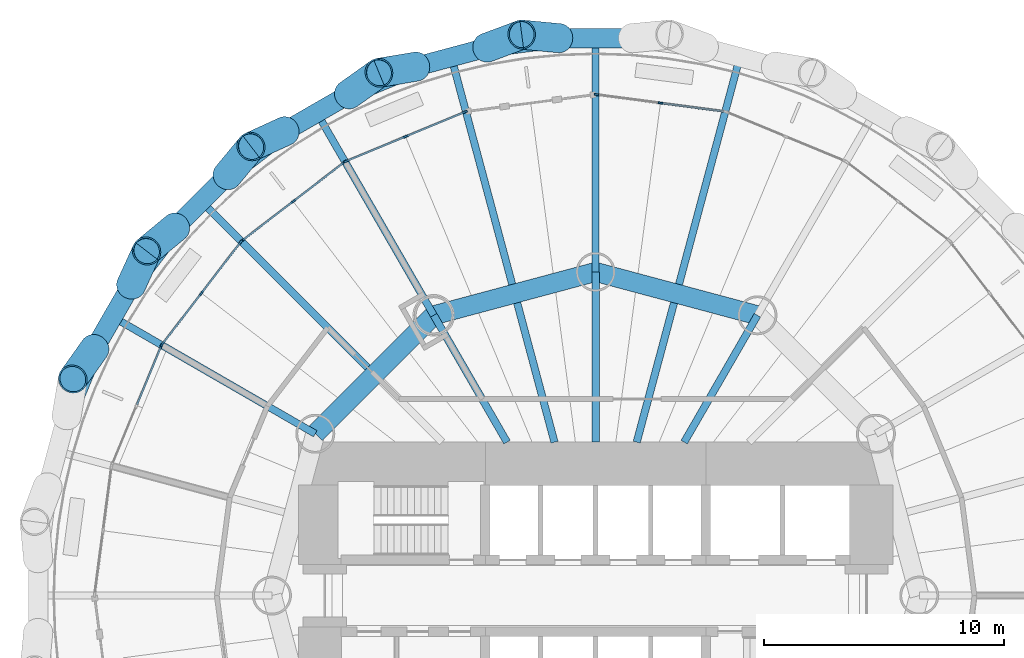
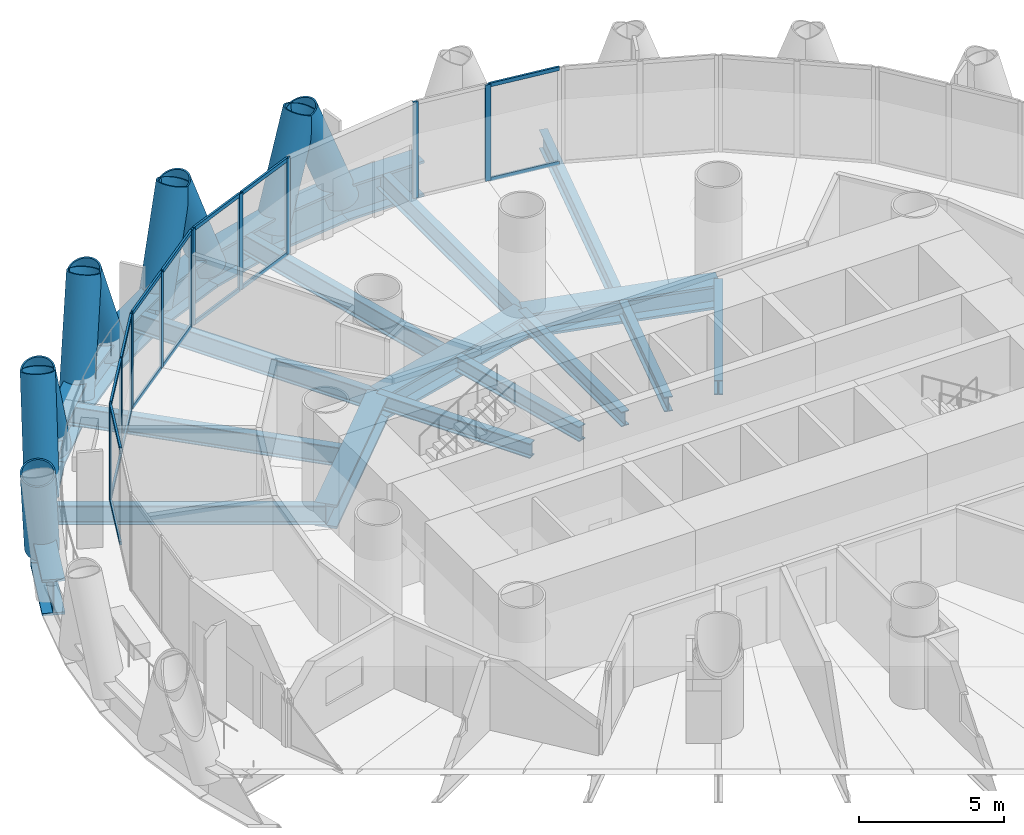
# One storey, part 6 of 15: 37 members, 24 beams, 5 elements without a shape of their own.
"""IFC4 building model written with IfcOpenShell, lengths in metres."""

import ifcopenshell
import ifcopenshell.guid

model = None  # the IFC model being written
_history = None  # IfcOwnerHistory: only IFC2X3 demands one
_inside = {}  # id of a spatial element -> (the spatial element, [elements in it])
_under = {}  # id of a project, library or spatial element -> (it, [spatial elements below it])
_declared = {}  # id of a project -> (the project, [libraries it declares])
_typed = {}  # id of a type object -> (the type object, [elements of that type])
_made_of = {}  # id of a material, layer set ... -> (it, [elements and type objects made of it])


def new_model(schema):
    """Start an empty IFC model of exactly this schema.

    Asked for "IFC4X3", IfcOpenShell would pick the latest addendum, in which some entities
    have other attributes; the version numbers below select the first issue.
    IFC2X3 requires an IfcOwnerHistory on every rooted entity: one is made here for all.
    """
    global model, _history
    if schema == "IFC4X3":
        model = ifcopenshell.file(schema_version=(4, 3, 0, 0))
    else:
        model = ifcopenshell.file(schema=schema)
    _inside.clear()
    _under.clear()
    _declared.clear()
    _typed.clear()
    _made_of.clear()
    _history = None
    if model.schema == "IFC2X3":
        org = make("IfcOrganization", Name="unknown")
        user = make(
            "IfcPersonAndOrganization",
            ThePerson=make("IfcPerson", FamilyName="unknown"),
            TheOrganization=org,
        )
        app = make(
            "IfcApplication",
            ApplicationDeveloper=org,
            Version="unknown",
            ApplicationFullName="unknown",
            ApplicationIdentifier="unknown",
        )
        _history = make(
            "IfcOwnerHistory",
            OwningUser=user,
            OwningApplication=app,
            ChangeAction="ADDED",
            CreationDate=0,
        )
    return model


def make(cls, **values):
    """One entity of the class cls with the attributes given. An attribute that is None is left unset."""
    return model.create_entity(
        cls, **{name: value for name, value in values.items() if value is not None}
    )


def rooted(cls, **values):
    """An entity with a GlobalId (a new one), such as an element, a storey or a relation."""
    return make(cls, GlobalId=ifcopenshell.guid.new(), OwnerHistory=_history, **values)


def si_unit(unit_type, name, prefix=None):
    """IfcSIUnit, for example si_unit("LENGTHUNIT", "METRE", prefix="MILLI")."""
    return make("IfcSIUnit", UnitType=unit_type, Prefix=prefix, Name=name)


def assignment(units):
    """IfcUnitAssignment: the units of a project."""
    return None if units is None else make("IfcUnitAssignment", Units=units)


def point(xyz):
    """IfcCartesianPoint."""
    return None if xyz is None else make("IfcCartesianPoint", Coordinates=xyz)


def direction(xyz):
    """IfcDirection."""
    return None if xyz is None else make("IfcDirection", DirectionRatios=xyz)


def frame(location, z_axis=None, x_axis=None):
    """IfcAxis2Placement3D, a coordinate frame: its origin and axes. An axis left out is left unset."""
    return make(
        "IfcAxis2Placement3D",
        Location=point(location),
        Axis=direction(z_axis),
        RefDirection=direction(x_axis),
    )


def frame_2d(location, x_axis=None):
    """IfcAxis2Placement2D, a coordinate frame in the plane: its origin and x axis."""
    return make(
        "IfcAxis2Placement2D", Location=point(location), RefDirection=direction(x_axis)
    )


def origin():
    """The frame at (0, 0, 0) with its axes left unset."""
    return frame((0.0, 0.0, 0.0))


def origin_2d():
    """The frame at (0, 0) in the plane with its x axis left unset."""
    return frame_2d((0.0, 0.0))


def place(relative_to, where):
    """IfcLocalPlacement: puts the frame where relative to a parent placement (None: the world)."""
    return make(
        "IfcLocalPlacement", PlacementRelTo=relative_to, RelativePlacement=where
    )


def context(
    kind, dimensions, precision=None, world=None, true_north=None, identifier=None
):
    """IfcGeometricRepresentationContext, for example the 3D "Model" context."""
    return make(
        "IfcGeometricRepresentationContext",
        ContextIdentifier=identifier,
        ContextType=kind,
        CoordinateSpaceDimension=dimensions,
        Precision=precision,
        WorldCoordinateSystem=world,
        TrueNorth=true_north,
    )


def subcontext(parent, identifier, kind, view, scale=None):
    """IfcGeometricRepresentationSubContext, for example "Body" below "Model"."""
    return make(
        "IfcGeometricRepresentationSubContext",
        ContextIdentifier=identifier,
        ContextType=kind,
        ParentContext=parent,
        TargetScale=scale,
        TargetView=view,
    )


def project(units=None, contexts=None):
    """IfcProject with its units and contexts."""
    return rooted(
        "IfcProject",
        Name="project",
        RepresentationContexts=contexts,
        UnitsInContext=assignment(units),
    )


def spatial(cls, under=None, at=None, **own):
    """A site, building, storey or space (cls), placed at a placement, below another one or the project."""
    s = rooted(cls, ObjectPlacement=at, **own)
    if under is not None:
        _under.setdefault(under.id(), (under, []))[1].append(s)
    return s


def profile(cls, at=None, kind="AREA", **sizes):
    """A parametric profile (cls). Its sizes go by their IFC names, for example OverallWidth=200.0."""
    return make(cls, ProfileType=kind, Position=at, **sizes)


def rectangle(**sizes):
    """IfcRectangleProfileDef."""
    return profile("IfcRectangleProfileDef", **sizes)


def hollow_circle(**sizes):
    """IfcCircleHollowProfileDef."""
    return profile("IfcCircleHollowProfileDef", **sizes)


def i_section(**sizes):
    """IfcIShapeProfileDef."""
    return profile("IfcIShapeProfileDef", **sizes)


def extrude(swept, where, along, depth):
    """IfcExtrudedAreaSolid: the profile swept, set in the frame where, extruded along a direction by depth."""
    return make(
        "IfcExtrudedAreaSolid",
        SweptArea=swept,
        Position=where,
        ExtrudedDirection=direction(along),
        Depth=depth,
    )


def shape(context_of_items, identifier, shape_type, items):
    """IfcShapeRepresentation: the items that make up one representation, for example the "Body"."""
    return make(
        "IfcShapeRepresentation",
        ContextOfItems=context_of_items,
        RepresentationIdentifier=identifier,
        RepresentationType=shape_type,
        Items=items,
    )


def material(Name=None, Category=None):
    """IfcMaterial."""
    return make("IfcMaterial", Name=Name, Category=Category)


def material_profile(
    of_material, cross_section, Name=None, Category=None, Priority=None
):
    """IfcMaterialProfile: a cross section and its material."""
    return make(
        "IfcMaterialProfile",
        Name=Name,
        Material=of_material,
        Profile=cross_section,
        Priority=Priority,
        Category=Category,
    )


def profile_set(profiles, Name=None, composite=None):
    """IfcMaterialProfileSet."""
    return make(
        "IfcMaterialProfileSet",
        Name=Name,
        MaterialProfiles=profiles,
        CompositeProfile=composite,
    )


def made_of(thing, what):
    """Note that an element or type object is made of a material, layer set ...; save() writes the relation."""
    if what is not None:
        _made_of.setdefault(what.id(), (what, []))[1].append(thing)
    return thing


def type_object(cls, material=None, **own):
    """A type object (cls), such as IfcWallType, which elements share."""
    return made_of(rooted(cls, **own), material)


def element(
    cls,
    number,
    at=None,
    inside=None,
    cuts=None,
    type_object=None,
    material=None,
    context=None,
    identifier="Body",
    shape_type=None,
    held_by="IfcProductDefinitionShape",
    body=None,
    shapes=None,
    **own,
):
    """One element of the class cls, such as IfcWall. Its Tag is "e" and its number.

    at: its placement. inside: the storey or other place that contains it. cuts: it is an
    opening in that element (IfcRelVoidsElement). A single representation is given by context,
    identifier, shape_type and body (its items); several are given by shapes. held_by: the class
    of the entity that holds the representations. save() writes the other relations.
    """
    e = rooted(cls, Tag="e%d" % number, ObjectPlacement=at, **own)
    if body is not None:
        shapes = [shape(context, identifier, shape_type, body)]
    if shapes is not None:
        e.Representation = make(held_by, Representations=shapes)
    if inside is not None:
        _inside.setdefault(inside.id(), (inside, []))[1].append(e)
    if cuts is not None:
        rooted(
            "IfcRelVoidsElement", RelatingBuildingElement=cuts, RelatedOpeningElement=e
        )
    if type_object is not None:
        _typed.setdefault(type_object.id(), (type_object, []))[1].append(e)
    return made_of(e, material)


def aggregate(whole, parts):
    """IfcRelAggregates: a whole, such as a stair, and the parts it consists of."""
    return rooted("IfcRelAggregates", RelatingObject=whole, RelatedObjects=parts)


def save(model, path):
    """Write the relations noted so far, then the file.

    IfcRelAggregates (storeys below a building ...), IfcRelContainedInSpatialStructure (elements
    in a storey), IfcRelDefinesByType, IfcRelAssociatesMaterial and IfcRelDeclares: one each for
    every whole, place, type object, material and project.
    """
    for whole, parts in _under.values():
        aggregate(whole, parts)
    for where, things in _inside.values():
        rooted(
            "IfcRelContainedInSpatialStructure",
            RelatedElements=things,
            RelatingStructure=where,
        )
    for kind, things in _typed.values():
        rooted("IfcRelDefinesByType", RelatedObjects=things, RelatingType=kind)
    for what, things in _made_of.values():
        rooted("IfcRelAssociatesMaterial", RelatedObjects=things, RelatingMaterial=what)
    for by, libraries in _declared.values():
        rooted("IfcRelDeclares", RelatingContext=by, RelatedDefinitions=libraries)
    model.write(path)


model = new_model("IFC4")

# Units and contexts
model_context = context("Model", 3, precision=1e-05, world=origin(), true_north=direction((0.0, 1.0)))
body_context = subcontext(model_context, "Body", "Model", "MODEL_VIEW")
ifc_project = project(units=[si_unit("LENGTHUNIT", "METRE"), si_unit("AREAUNIT", "SQUARE_METRE"), si_unit("VOLUMEUNIT", "CUBIC_METRE"), si_unit("PLANEANGLEUNIT", "RADIAN"), si_unit("MASSUNIT", "GRAM", prefix="KILO")], contexts=[model_context])

# Site, building, storey
site_placement = place(None, origin())
site = spatial("IfcSite", under=ifc_project, at=site_placement, CompositionType="ELEMENT")
building_placement = place(site_placement, origin())
building = spatial("IfcBuilding", under=site, at=building_placement, Name="Qaws Media Tower", CompositionType="ELEMENT")
storey_placement = place(building_placement, frame((0.0, 0.0, 30.199951171875)))
storey = spatial("IfcBuildingStorey", under=building, at=storey_placement, Name="L05", CompositionType="ELEMENT", Elevation=30.199951171875)

# Curtain wall, members
ifc_material_1 = material(Name="Aluminium and clear glass", Category="aluminium")
curtain_wall_type = type_object("IfcCurtainWallType", Name="Unitised curtain wall CW-A", PredefinedType="NOTDEFINED", material=ifc_material_1)
curtain_wall_1_placement = place(storey_placement, origin())
curtain_wall_1 = element("IfcCurtainWall", 1, at=curtain_wall_1_placement, inside=storey, type_object=curtain_wall_type, Name="CWA curtain wall L05-06", PredefinedType="NOTDEFINED")
ifc_material_2 = material(Name="Aluminium mullion", Category="aluminium")
ifc_material_profile_1 = material_profile(ifc_material_2, rectangle(XDim=0.080078125, YDim=0.199951171875, at=origin_2d()), Name="80x200")
ifc_profile_set_1 = profile_set([ifc_material_profile_1], Name="Aluminium mullion")
member_type_1 = type_object("IfcMemberType", Name="Curtain wall mullion 80x200", PredefinedType="MULLION", material=ifc_profile_set_1)
member_1_placement = place(storey_placement, frame((62.70458984375, 70.5439453125, 0.0), z_axis=(0.0, 0.0, 1.0), x_axis=(-0.130526151694, -0.991444866709, 0.0)))
member_1 = element("IfcMember", 2, at=member_1_placement, type_object=member_type_1, Name="CWA mullion 2", PredefinedType="MULLION", context=body_context, shape_type="SweptSolid", body=[
    extrude(rectangle(XDim=0.080078125, YDim=0.199951171875, at=origin_2d()), origin(), (0.0, 0.0, 1.0), 4.0400390625),
])
member_2_placement = place(storey_placement, frame((60.03955078125, 70.894775390625, 0.0), z_axis=(0.0, 0.0, 1.0), x_axis=(-0.130526151694, -0.991444866709, 0.0)))
member_2 = element("IfcMember", 3, at=member_2_placement, type_object=member_type_1, Name="CWA mullion 3", PredefinedType="MULLION", context=body_context, shape_type="SweptSolid", body=[
    extrude(rectangle(XDim=0.080078125, YDim=0.199951171875, at=origin_2d()), origin(), (0.0, 0.0, 1.0), 4.0400390625),
])

curtain_wall_2_placement = place(storey_placement, origin())
curtain_wall_2 = element("IfcCurtainWall", 4, at=curtain_wall_2_placement, inside=storey, type_object=curtain_wall_type, Name="CWA curtain wall L05-08", PredefinedType="NOTDEFINED")
member_3_placement = place(storey_placement, frame((54.5537109375, 70.172607421875, 0.0), z_axis=(0.0, 0.0, 1.0), x_axis=(0.382683456149, -0.92387952266, 0.0)))
member_3 = element("IfcMember", 5, at=member_3_placement, type_object=member_type_1, Name="CWA mullion 1", PredefinedType="MULLION", context=body_context, shape_type="SweptSolid", body=[
    extrude(rectangle(XDim=0.080078125, YDim=0.199951171875, at=origin_2d()), origin(), (0.0, 0.0, 1.0), 4.0400390625),
])
member_4_placement = place(storey_placement, frame((52.0703125, 69.143798828125, 0.0), z_axis=(0.0, 0.0, 1.0), x_axis=(0.382683456149, -0.92387952266, 0.0)))
member_4 = element("IfcMember", 6, at=member_4_placement, type_object=member_type_1, Name="CWA mullion 2", PredefinedType="MULLION", context=body_context, shape_type="SweptSolid", body=[
    extrude(rectangle(XDim=0.080078125, YDim=0.199951171875, at=origin_2d()), origin(), (0.0, 0.0, 1.0), 4.0400390625),
])
member_5_placement = place(storey_placement, frame((49.5869140625, 68.115234375, 0.0), z_axis=(0.0, 0.0, 1.0), x_axis=(0.382683456149, -0.92387952266, 0.0)))
member_5 = element("IfcMember", 7, at=member_5_placement, type_object=member_type_1, Name="CWA mullion 3", PredefinedType="MULLION", context=body_context, shape_type="SweptSolid", body=[
    extrude(rectangle(XDim=0.080078125, YDim=0.199951171875, at=origin_2d()), origin(), (0.0, 0.0, 1.0), 4.0400390625),
])

curtain_wall_3_placement = place(storey_placement, origin())
curtain_wall_3 = element("IfcCurtainWall", 8, at=curtain_wall_3_placement, inside=storey, type_object=curtain_wall_type, Name="CWA curtain wall L05-09", PredefinedType="NOTDEFINED")
member_6_placement = place(storey_placement, frame((49.518310546875, 68.07568359375, 0.0), z_axis=(0.0, 0.0, 1.0), x_axis=(0.608761380338, -0.793353377638, 0.0)))
member_6 = element("IfcMember", 9, at=member_6_placement, type_object=member_type_1, Name="CWA mullion 1", PredefinedType="MULLION", context=body_context, shape_type="SweptSolid", body=[
    extrude(rectangle(XDim=0.080078125, YDim=0.199951171875, at=origin_2d()), origin(), (0.0, 0.0, 1.0), 4.0400390625),
])
member_7_placement = place(storey_placement, frame((47.3857421875, 66.439208984375, 0.0), z_axis=(0.0, 0.0, 1.0), x_axis=(0.608761380338, -0.793353377638, 0.0)))
member_7 = element("IfcMember", 10, at=member_7_placement, type_object=member_type_1, Name="CWA mullion 2", PredefinedType="MULLION", context=body_context, shape_type="SweptSolid", body=[
    extrude(rectangle(XDim=0.080078125, YDim=0.199951171875, at=origin_2d()), origin(), (0.0, 0.0, 1.0), 4.0400390625),
])
member_8_placement = place(storey_placement, frame((45.253173828125, 64.802978515625, 0.0), z_axis=(0.0, 0.0, 1.0), x_axis=(0.608761380338, -0.793353377638, 0.0)))
member_8 = element("IfcMember", 11, at=member_8_placement, type_object=member_type_1, Name="CWA mullion 3", PredefinedType="MULLION", context=body_context, shape_type="SweptSolid", body=[
    extrude(rectangle(XDim=0.080078125, YDim=0.199951171875, at=origin_2d()), origin(), (0.0, 0.0, 1.0), 4.0400390625),
])

curtain_wall_4_placement = place(storey_placement, origin())
curtain_wall_4 = element("IfcCurtainWall", 12, at=curtain_wall_4_placement, inside=storey, type_object=curtain_wall_type, Name="CWA curtain wall L05-10", PredefinedType="NOTDEFINED")
member_9_placement = place(storey_placement, frame((45.197021484375, 64.746826171875, 0.0), z_axis=(0.0, 0.0, 1.0), x_axis=(0.793353377638, -0.608761380338, 0.0)))
member_9 = element("IfcMember", 13, at=member_9_placement, type_object=member_type_1, Name="CWA mullion 1", PredefinedType="MULLION", context=body_context, shape_type="SweptSolid", body=[
    extrude(rectangle(XDim=0.080078125, YDim=0.199951171875, at=origin_2d()), origin(), (0.0, 0.0, 1.0), 4.0400390625),
])
member_10_placement = place(storey_placement, frame((43.560791015625, 62.6142578125, 0.0), z_axis=(0.0, 0.0, 1.0), x_axis=(0.793353377638, -0.608761380338, 0.0)))
member_10 = element("IfcMember", 14, at=member_10_placement, type_object=member_type_1, Name="CWA mullion 2", PredefinedType="MULLION", context=body_context, shape_type="SweptSolid", body=[
    extrude(rectangle(XDim=0.080078125, YDim=0.199951171875, at=origin_2d()), origin(), (0.0, 0.0, 1.0), 4.0400390625),
])
member_11_placement = place(storey_placement, frame((41.92431640625, 60.481689453125, 0.0), z_axis=(0.0, 0.0, 1.0), x_axis=(0.793353377638, -0.608761380338, 0.0)))
member_11 = element("IfcMember", 15, at=member_11_placement, type_object=member_type_1, Name="CWA mullion 3", PredefinedType="MULLION", context=body_context, shape_type="SweptSolid", body=[
    extrude(rectangle(XDim=0.080078125, YDim=0.199951171875, at=origin_2d()), origin(), (0.0, 0.0, 1.0), 4.0400390625),
])

# Curtain wall, member
curtain_wall_5_placement = place(storey_placement, origin())
curtain_wall_5 = element("IfcCurtainWall", 16, at=curtain_wall_5_placement, inside=storey, type_object=curtain_wall_type, Name="CWA curtain wall L05-11", PredefinedType="NOTDEFINED")
member_12_placement = place(storey_placement, frame((41.884765625, 60.4130859375, 0.0), z_axis=(0.0, 0.0, 1.0), x_axis=(0.92387952266, -0.382683456149, 0.0)))
member_12 = element("IfcMember", 17, at=member_12_placement, type_object=member_type_1, Name="CWA mullion 1", PredefinedType="MULLION", context=body_context, shape_type="SweptSolid", body=[
    extrude(rectangle(XDim=0.080078125, YDim=0.199951171875, at=origin_2d()), origin(), (0.0, 0.0, 1.0), 4.0400390625),
])

# Member
ifc_material_3 = material(Name="Aluminium transom", Category="aluminium")
ifc_material_profile_2 = material_profile(ifc_material_3, rectangle(XDim=0.080078125, YDim=0.159912109375, at=origin_2d()), Name="80x160")
ifc_profile_set_2 = profile_set([ifc_material_profile_2], Name="Aluminium transom")
member_type_2 = type_object("IfcMemberType", Name="Curtain wall transom 80x160", PredefinedType="USERDEFINED", material=ifc_profile_set_2)
member_13_placement = place(storey_placement, frame((65.330078125, 70.1982421875, 0.0400390625), z_axis=(-0.991436762367, 0.130587695544, 0.0), x_axis=(-0.130587695544, -0.991436762367, 0.0)))
member_13 = element("IfcMember", 18, at=member_13_placement, type_object=member_type_2, Name="CWA transom 1.1", ObjectType="TRANSOM", PredefinedType="USERDEFINED", context=body_context, shape_type="SweptSolid", body=[
    extrude(rectangle(XDim=0.080078125, YDim=0.159912109375, at=origin_2d()), origin(), (0.0, 0.0, 1.0), 2.60791015625),
])

member_14_placement = place(storey_placement, frame((65.330078125, 70.1982421875, 4.0), z_axis=(-0.991436762367, 0.130587695544, 0.0), x_axis=(-0.130587695544, -0.991436762367, 0.0)))
member_14 = element("IfcMember", 19, at=member_14_placement, type_object=member_type_2, Name="CWA transom 1.2", ObjectType="TRANSOM", PredefinedType="USERDEFINED", context=body_context, shape_type="SweptSolid", body=[
    extrude(rectangle(XDim=0.080078125, YDim=0.159912109375, at=origin_2d()), origin(), (0.0, 0.0, 1.0), 2.60791015625),
])

aggregate(curtain_wall_1, [member_1, member_2, member_13, member_14])

member_15_placement = place(storey_placement, frame((54.516845703125, 70.1572265625, 0.0400390625), z_axis=(-0.923889058869, -0.382660432893, 0.0), x_axis=(0.382660432893, -0.923889058869, 0.0)))
member_15 = element("IfcMember", 20, at=member_15_placement, type_object=member_type_2, Name="CWA transom 1.1", ObjectType="TRANSOM", PredefinedType="USERDEFINED", context=body_context, shape_type="SweptSolid", body=[
    extrude(rectangle(XDim=0.080078125, YDim=0.159912109375, at=origin_2d()), origin(), (0.0, 0.0, 1.0), 2.608154296875),
])

member_16_placement = place(storey_placement, frame((54.516845703125, 70.1572265625, 4.0), z_axis=(-0.923889058869, -0.382660432893, 0.0), x_axis=(0.382660432893, -0.923889058869, 0.0)))
member_16 = element("IfcMember", 21, at=member_16_placement, type_object=member_type_2, Name="CWA transom 1.2", ObjectType="TRANSOM", PredefinedType="USERDEFINED", context=body_context, shape_type="SweptSolid", body=[
    extrude(rectangle(XDim=0.080078125, YDim=0.159912109375, at=origin_2d()), origin(), (0.0, 0.0, 1.0), 2.608154296875),
])

member_17_placement = place(storey_placement, frame((52.033447265625, 69.128662109375, 0.0400390625), z_axis=(-0.923875350489, -0.382693528503, 0.0), x_axis=(0.382693528503, -0.923875350489, 0.0)))
member_17 = element("IfcMember", 22, at=member_17_placement, type_object=member_type_2, Name="CWA transom 2.1", ObjectType="TRANSOM", PredefinedType="USERDEFINED", context=body_context, shape_type="SweptSolid", body=[
    extrude(rectangle(XDim=0.080078125, YDim=0.159912109375, at=origin_2d()), origin(), (0.0, 0.0, 1.0), 2.60791015625),
])

member_18_placement = place(storey_placement, frame((52.033447265625, 69.128662109375, 4.0), z_axis=(-0.923875350489, -0.382693528503, 0.0), x_axis=(0.382693528503, -0.923875350489, 0.0)))
member_18 = element("IfcMember", 23, at=member_18_placement, type_object=member_type_2, Name="CWA transom 2.2", ObjectType="TRANSOM", PredefinedType="USERDEFINED", context=body_context, shape_type="SweptSolid", body=[
    extrude(rectangle(XDim=0.080078125, YDim=0.159912109375, at=origin_2d()), origin(), (0.0, 0.0, 1.0), 2.60791015625),
])

aggregate(curtain_wall_2, [member_3, member_4, member_5, member_15, member_16, member_17, member_18])

member_19_placement = place(storey_placement, frame((49.486572265625, 68.05126953125, 0.0400390625), z_axis=(-0.793357690605, -0.608755759528, 0.0), x_axis=(0.608755759528, -0.793357690605, 0.0)))
member_19 = element("IfcMember", 24, at=member_19_placement, type_object=member_type_2, Name="CWA transom 1.1", ObjectType="TRANSOM", PredefinedType="USERDEFINED", context=body_context, shape_type="SweptSolid", body=[
    extrude(rectangle(XDim=0.080078125, YDim=0.159912109375, at=origin_2d()), origin(), (0.0, 0.0, 1.0), 2.60791015625),
])

member_20_placement = place(storey_placement, frame((49.486572265625, 68.05126953125, 4.0), z_axis=(-0.793357690605, -0.608755759528, 0.0), x_axis=(0.608755759528, -0.793357690605, 0.0)))
member_20 = element("IfcMember", 25, at=member_20_placement, type_object=member_type_2, Name="CWA transom 1.2", ObjectType="TRANSOM", PredefinedType="USERDEFINED", context=body_context, shape_type="SweptSolid", body=[
    extrude(rectangle(XDim=0.080078125, YDim=0.159912109375, at=origin_2d()), origin(), (0.0, 0.0, 1.0), 2.60791015625),
])

member_21_placement = place(storey_placement, frame((47.35400390625, 66.414794921875, 0.0400390625), z_axis=(-0.793357690605, -0.608755759528, 0.0), x_axis=(0.608755759528, -0.793357690605, 0.0)))
member_21 = element("IfcMember", 26, at=member_21_placement, type_object=member_type_2, Name="CWA transom 2.1", ObjectType="TRANSOM", PredefinedType="USERDEFINED", context=body_context, shape_type="SweptSolid", body=[
    extrude(rectangle(XDim=0.080078125, YDim=0.159912109375, at=origin_2d()), origin(), (0.0, 0.0, 1.0), 2.60791015625),
])

member_22_placement = place(storey_placement, frame((47.35400390625, 66.414794921875, 4.0), z_axis=(-0.793357690605, -0.608755759528, 0.0), x_axis=(0.608755759528, -0.793357690605, 0.0)))
member_22 = element("IfcMember", 27, at=member_22_placement, type_object=member_type_2, Name="CWA transom 2.2", ObjectType="TRANSOM", PredefinedType="USERDEFINED", context=body_context, shape_type="SweptSolid", body=[
    extrude(rectangle(XDim=0.080078125, YDim=0.159912109375, at=origin_2d()), origin(), (0.0, 0.0, 1.0), 2.60791015625),
])

aggregate(curtain_wall_3, [member_6, member_7, member_8, member_19, member_20, member_21, member_22])

member_23_placement = place(storey_placement, frame((45.1728515625, 64.715087890625, 0.0400390625), z_axis=(-0.608755759528, -0.793357690605, 0.0), x_axis=(0.793357690605, -0.608755759528, 0.0)))
member_23 = element("IfcMember", 28, at=member_23_placement, type_object=member_type_2, Name="CWA transom 1.1", ObjectType="TRANSOM", PredefinedType="USERDEFINED", context=body_context, shape_type="SweptSolid", body=[
    extrude(rectangle(XDim=0.080078125, YDim=0.159912109375, at=origin_2d()), origin(), (0.0, 0.0, 1.0), 2.60791015625),
])

member_24_placement = place(storey_placement, frame((45.1728515625, 64.715087890625, 4.0), z_axis=(-0.608755759528, -0.793357690605, 0.0), x_axis=(0.793357690605, -0.608755759528, 0.0)))
member_24 = element("IfcMember", 29, at=member_24_placement, type_object=member_type_2, Name="CWA transom 1.2", ObjectType="TRANSOM", PredefinedType="USERDEFINED", context=body_context, shape_type="SweptSolid", body=[
    extrude(rectangle(XDim=0.080078125, YDim=0.159912109375, at=origin_2d()), origin(), (0.0, 0.0, 1.0), 2.60791015625),
])

member_25_placement = place(storey_placement, frame((43.536376953125, 62.58251953125, 0.0400390625), z_axis=(-0.608755759528, -0.793357690605, 0.0), x_axis=(0.793357690605, -0.608755759528, 0.0)))
member_25 = element("IfcMember", 30, at=member_25_placement, type_object=member_type_2, Name="CWA transom 2.1", ObjectType="TRANSOM", PredefinedType="USERDEFINED", context=body_context, shape_type="SweptSolid", body=[
    extrude(rectangle(XDim=0.080078125, YDim=0.159912109375, at=origin_2d()), origin(), (0.0, 0.0, 1.0), 2.60791015625),
])

member_26_placement = place(storey_placement, frame((43.536376953125, 62.58251953125, 4.0), z_axis=(-0.608755759528, -0.793357690605, 0.0), x_axis=(0.793357690605, -0.608755759528, 0.0)))
member_26 = element("IfcMember", 31, at=member_26_placement, type_object=member_type_2, Name="CWA transom 2.2", ObjectType="TRANSOM", PredefinedType="USERDEFINED", context=body_context, shape_type="SweptSolid", body=[
    extrude(rectangle(XDim=0.080078125, YDim=0.159912109375, at=origin_2d()), origin(), (0.0, 0.0, 1.0), 2.60791015625),
])

aggregate(curtain_wall_4, [member_9, member_10, member_11, member_23, member_24, member_25, member_26])

member_27_placement = place(storey_placement, frame((41.869384765625, 60.3759765625, 0.0400390625), z_axis=(-0.382693528503, -0.923875350489, 0.0), x_axis=(0.923875350489, -0.382693528503, 0.0)))
member_27 = element("IfcMember", 32, at=member_27_placement, type_object=member_type_2, Name="CWA transom 1.1", ObjectType="TRANSOM", PredefinedType="USERDEFINED", context=body_context, shape_type="SweptSolid", body=[
    extrude(rectangle(XDim=0.080078125, YDim=0.159912109375, at=origin_2d()), origin(), (0.0, 0.0, 1.0), 2.60791015625),
])

member_28_placement = place(storey_placement, frame((41.869384765625, 60.3759765625, 4.0), z_axis=(-0.382693528503, -0.923875350489, 0.0), x_axis=(0.923875350489, -0.382693528503, 0.0)))
member_28 = element("IfcMember", 33, at=member_28_placement, type_object=member_type_2, Name="CWA transom 1.2", ObjectType="TRANSOM", PredefinedType="USERDEFINED", context=body_context, shape_type="SweptSolid", body=[
    extrude(rectangle(XDim=0.080078125, YDim=0.159912109375, at=origin_2d()), origin(), (0.0, 0.0, 1.0), 2.60791015625),
])

aggregate(curtain_wall_5, [member_12, member_27, member_28])

# Members
ifc_material_4 = material(Name="Steel S460", Category="steel")
ifc_material_profile_3 = material_profile(ifc_material_4, hollow_circle(Radius=0.609619140625, WallThickness=0.06005859375, at=origin_2d()), Name="CHS 1219x60")
ifc_profile_set_3 = profile_set([ifc_material_profile_3], Name="Steel S460")
member_type_3 = type_object("IfcMemberType", Name="Diagrid member CHS 1219x60", PredefinedType="USERDEFINED", material=ifc_profile_set_3)
for number, where, z_axis, x_axis, name in (
    (34, (58.47607421875, 73.25, -0.909912109375), (-0.347292966152, 0.03306773811, 0.937173473994), (-0.094786985058, -0.995497577829, 0.0), "DG1 diagrid L05 A07"),
    (35, (52.510498046875, 72.0634765625, -0.909912109375), (-0.34402209257, -0.058017977607, 0.937167388516), (0.166297781756, -0.986075579143, 0.0), "DG1 diagrid L05 A08"),
):
    element("IfcMember", number, at=place(storey_placement, frame(where, z_axis=z_axis, x_axis=x_axis)), inside=storey, type_object=member_type_3, Name=name, ObjectType="DIAGRID", PredefinedType="USERDEFINED", context=body_context, shape_type="SweptSolid", body=[
        extrude(hollow_circle(Radius=0.609619140625, WallThickness=0.06005859375, at=origin_2d()), origin(), (0.0, 0.0, 1.0), 4.4814453125),
    ])
member_29_placement = place(storey_placement, frame((55.454345703125, 72.852294921875, -0.909912109375), z_axis=(0.326965826616, 0.121808661832, 0.937153134834), x_axis=(-0.349103646691, 0.937084117818, 0.0)))
element("IfcMember", 36, at=member_29_placement, inside=storey, type_object=member_type_3, Name="DG1 diagrid L05 B08", ObjectType="DIAGRID", PredefinedType="USERDEFINED", context=body_context, shape_type="SweptSolid", body=[
    extrude(hollow_circle(Radius=0.609619140625, WallThickness=0.06005859375, at=origin_2d()), origin(), (0.0, 0.0, 1.0), 4.481689453125),
])
for number, where, z_axis, x_axis, name in (
    (37, (47.05517578125, 69.373291015625, -0.909912109375), (-0.317275265863, -0.145072807863, 0.937171428337), (0.41583725569, -0.909439045115, 0.0), "DG1 diagrid L05 A09"),
    (38, (49.694580078125, 70.897216796875, -0.909912109375), (0.284313871152, 0.202217491802, 0.93716258391), (-0.579597527467, 0.814902881425, 0.0), "DG1 diagrid L05 B09"),
):
    element("IfcMember", number, at=place(storey_placement, frame(where, z_axis=z_axis, x_axis=x_axis)), inside=storey, type_object=member_type_3, Name=name, ObjectType="DIAGRID", PredefinedType="USERDEFINED", context=body_context, shape_type="SweptSolid", body=[
        extrude(hollow_circle(Radius=0.609619140625, WallThickness=0.06005859375, at=origin_2d()), origin(), (0.0, 0.0, 1.0), 4.4814453125),
    ])
for number, where, z_axis, x_axis, name in (
    (39, (42.482177734375, 65.36279296875, -0.909912109375), (-0.268950060745, -0.222263773109, 0.937157766861), (0.637030728168, -0.770838408079, 0.0), "DG1 diagrid L05 A10"),
    (40, (44.63720703125, 67.517822265625, -0.909912109375), (0.222263773109, 0.268950060745, 0.937157766861), (-0.770838408079, 0.637030728168, 0.0), "DG1 diagrid L05 B10"),
):
    element("IfcMember", number, at=place(storey_placement, frame(where, z_axis=z_axis, x_axis=x_axis)), inside=storey, type_object=member_type_3, Name=name, ObjectType="DIAGRID", PredefinedType="USERDEFINED", context=body_context, shape_type="SweptSolid", body=[
        extrude(hollow_circle(Radius=0.609619140625, WallThickness=0.06005859375, at=origin_2d()), origin(), (0.0, 0.0, 1.0), 4.481689453125),
    ])
for number, where, z_axis, x_axis, name in (
    (41, (39.102783203125, 60.305419921875, -0.909912109375), (-0.202217491802, -0.284313871152, 0.93716258391), (0.814902881425, -0.579597527467, 0.0), "DG1 diagrid L05 A11"),
    (42, (40.626708984375, 62.94482421875, -0.909912109375), (0.145072807863, 0.317275265863, 0.937171428337), (-0.909439045115, 0.41583725569, 0.0), "DG1 diagrid L05 B11"),
):
    element("IfcMember", number, at=place(storey_placement, frame(where, z_axis=z_axis, x_axis=x_axis)), inside=storey, type_object=member_type_3, Name=name, ObjectType="DIAGRID", PredefinedType="USERDEFINED", context=body_context, shape_type="SweptSolid", body=[
        extrude(hollow_circle(Radius=0.609619140625, WallThickness=0.06005859375, at=origin_2d()), origin(), (0.0, 0.0, 1.0), 4.4814453125),
    ])

# Beams
ifc_material_5 = material(Name="Steel S460", Category="steel")
ifc_material_profile_4 = material_profile(ifc_material_5, i_section(OverallWidth=0.800048828125, OverallDepth=1.5, WebThickness=0.0400390625, FlangeThickness=0.10009765625, at=origin_2d()), Name="PG 1500x800")
ifc_profile_set_4 = profile_set([ifc_material_profile_4], Name="Steel S460")
beam_type_1 = type_object("IfcBeamType", Name="Edge ring beam PG 1500x800", PredefinedType="BEAM", material=ifc_profile_set_4)
for number, where, z_axis, x_axis, name in (
    (43, (61.52392578125, 73.25, -0.909912109375), (-1.0, 0.0, 0.0), (0.0, -1.0, 0.0), "RB7 edge ring beam L05-12"),
    (44, (58.47607421875, 73.25, -0.909912109375), (-0.991449659888, -0.130489738706, 0.0), (0.130489738706, -0.991449659888, 0.0), "RB7 edge ring beam L05-13"),
):
    element("IfcBeam", number, at=place(storey_placement, frame(where, z_axis=z_axis, x_axis=x_axis)), inside=storey, type_object=beam_type_1, Name=name, PredefinedType="BEAM", context=body_context, shape_type="SweptSolid", body=[
        extrude(i_section(OverallWidth=0.800048828125, OverallDepth=1.5, WebThickness=0.0400390625, FlangeThickness=0.10009765625, at=origin_2d()), origin(), (0.0, 0.0, 1.0), 3.0478515625),
    ])
beam_1_placement = place(storey_placement, frame((55.454345703125, 72.852294921875, -0.909912109375), z_axis=(-0.965924451694, -0.258824175106, 0.0), x_axis=(0.258824175106, -0.965924451694, 0.0)))
element("IfcBeam", 45, at=beam_1_placement, inside=storey, type_object=beam_type_1, Name="RB7 edge ring beam L05-14", PredefinedType="BEAM", context=body_context, shape_type="SweptSolid", body=[
    extrude(i_section(OverallWidth=0.800048828125, OverallDepth=1.5, WebThickness=0.0400390625, FlangeThickness=0.10009765625, at=origin_2d()), origin(), (0.0, 0.0, 1.0), 3.047607421875),
])
for number, where, z_axis, x_axis, name in (
    (46, (52.510498046875, 72.0634765625, -0.909912109375), (-0.923894802877, -0.382646564361, 0.0), (0.382646564361, -0.923894802877, 0.0), "RB7 edge ring beam L05-15"),
    (47, (49.694580078125, 70.897216796875, -0.909912109375), (-0.866016168704, -0.500015995287, 0.0), (0.500015995287, -0.866016168704, 0.0), "RB7 edge ring beam L05-16"),
    (48, (47.05517578125, 69.373291015625, -0.909912109375), (-0.793338116406, -0.608781268648, 0.0), (0.608781268648, -0.793338116406, 0.0), "RB7 edge ring beam L05-17"),
):
    element("IfcBeam", number, at=place(storey_placement, frame(where, z_axis=z_axis, x_axis=x_axis)), inside=storey, type_object=beam_type_1, Name=name, PredefinedType="BEAM", context=body_context, shape_type="SweptSolid", body=[
        extrude(i_section(OverallWidth=0.800048828125, OverallDepth=1.5, WebThickness=0.0400390625, FlangeThickness=0.10009765625, at=origin_2d()), origin(), (0.0, 0.0, 1.0), 3.0478515625),
    ])
beam_2_placement = place(storey_placement, frame((44.63720703125, 67.517822265625, -0.909912109375), z_axis=(-0.707106781187, -0.707106781187, 0.0), x_axis=(0.707106781187, -0.707106781187, 0.0)))
element("IfcBeam", 49, at=beam_2_placement, inside=storey, type_object=beam_type_1, Name="RB7 edge ring beam L05-18", PredefinedType="BEAM", context=body_context, shape_type="SweptSolid", body=[
    extrude(i_section(OverallWidth=0.800048828125, OverallDepth=1.5, WebThickness=0.0400390625, FlangeThickness=0.10009765625, at=origin_2d()), origin(), (0.0, 0.0, 1.0), 3.047607421875),
])
for number, where, z_axis, x_axis, name in (
    (50, (42.482177734375, 65.36279296875, -0.909912109375), (-0.608781268648, -0.793338116406, 0.0), (0.793338116406, -0.608781268648, 0.0), "RB7 edge ring beam L05-19"),
    (51, (40.626708984375, 62.94482421875, -0.909912109375), (-0.500015995287, -0.866016168704, 0.0), (0.866016168704, -0.500015995287, 0.0), "RB7 edge ring beam L05-20"),
    (52, (39.102783203125, 60.305419921875, -0.909912109375), (-0.382646564361, -0.923894802877, 0.0), (0.923894802877, -0.382646564361, 0.0), "RB7 edge ring beam L05-21"),
):
    element("IfcBeam", number, at=place(storey_placement, frame(where, z_axis=z_axis, x_axis=x_axis)), inside=storey, type_object=beam_type_1, Name=name, PredefinedType="BEAM", context=body_context, shape_type="SweptSolid", body=[
        extrude(i_section(OverallWidth=0.800048828125, OverallDepth=1.5, WebThickness=0.0400390625, FlangeThickness=0.10009765625, at=origin_2d()), origin(), (0.0, 0.0, 1.0), 3.0478515625),
    ])
ifc_material_6 = material(Name="Steel S460", Category="steel")
ifc_material_profile_5 = material_profile(ifc_material_6, i_section(OverallWidth=0.800048828125, OverallDepth=1.0, WebThickness=0.0400390625, FlangeThickness=0.10009765625, at=origin_2d()), Name="PG 1000x800")
ifc_profile_set_5 = profile_set([ifc_material_profile_5], Name="Steel S460")
beam_type_2 = type_object("IfcBeamType", Name="Inner ring girder PG 1000x800", PredefinedType="BEAM", material=ifc_profile_set_5)
for number, where, z_axis, x_axis, name in (
    (53, (66.75, 61.69140625, -0.659912109375), (-0.965928090778, 0.258810593767, 0.0), (-0.258810593767, -0.965928090778, 0.0), "B3 inner ring beam L05 I03-I04"),
    (54, (60.0, 63.5, -0.659912109375), (-0.965928090778, -0.258810593767, 0.0), (0.258810593767, -0.965928090778, 0.0), "B3 inner ring beam L05 I04-I05"),
):
    element("IfcBeam", number, at=place(storey_placement, frame(where, z_axis=z_axis, x_axis=x_axis)), inside=storey, type_object=beam_type_2, Name=name, PredefinedType="BEAM", context=body_context, shape_type="SweptSolid", body=[
        extrude(i_section(OverallWidth=0.800048828125, OverallDepth=1.0, WebThickness=0.0400390625, FlangeThickness=0.10009765625, at=origin_2d()), origin(), (0.0, 0.0, 1.0), 6.988037109375),
    ])
beam_3_placement = place(storey_placement, frame((53.25, 61.69140625, -0.659912109375), z_axis=(-0.707106781187, -0.707106781187, 0.0), x_axis=(0.707106781187, -0.707106781187, 0.0)))
element("IfcBeam", 55, at=beam_3_placement, inside=storey, type_object=beam_type_2, Name="B3 inner ring beam L05 I05-I06", PredefinedType="BEAM", context=body_context, shape_type="SweptSolid", body=[
    extrude(i_section(OverallWidth=0.800048828125, OverallDepth=1.0, WebThickness=0.0400390625, FlangeThickness=0.10009765625, at=origin_2d()), origin(), (0.0, 0.0, 1.0), 6.98828125),
])
ifc_material_7 = material(Name="Steel S355", Category="steel")
ifc_material_profile_6 = material_profile(ifc_material_7, i_section(OverallWidth=0.304931640625, OverallDepth=0.6201171875, WebThickness=0.02099609375, FlangeThickness=0.0400390625, FilletRadius=0.027099609375, at=origin_2d()), Name="HE 600 M")
ifc_profile_set_6 = profile_set([ifc_material_profile_6], Name="Steel S355")
beam_type_3 = type_object("IfcBeamType", Name="Radial beam HE 600 M, core side", PredefinedType="BEAM", material=ifc_profile_set_6)
beam_4_placement = place(storey_placement, frame((63.695068359375, 56.39990234375, -0.469970703125), z_axis=(0.49998532359, 0.866033877048, 0.0), x_axis=(-0.866033877048, 0.49998532359, 0.0)))
element("IfcBeam", 56, at=beam_4_placement, inside=storey, type_object=beam_type_3, Name="B2 radial beam L05 05", PredefinedType="BEAM", context=body_context, shape_type="SweptSolid", body=[
    extrude(i_section(OverallWidth=0.304931640625, OverallDepth=0.6201171875, WebThickness=0.02099609375, FlangeThickness=0.0400390625, FilletRadius=0.027099609375, at=origin_2d()), origin(), (0.0, 0.0, 1.0), 6.110107421875),
])
beam_5_placement = place(storey_placement, frame((61.71484375, 56.39990234375, -0.469970703125), z_axis=(0.258824687089, 0.965924314506, 0.0), x_axis=(-0.965924314506, 0.258824687089, 0.0)))
element("IfcBeam", 57, at=beam_5_placement, inside=storey, type_object=beam_type_3, Name="B2 radial beam L05 06", PredefinedType="BEAM", context=body_context, shape_type="SweptSolid", body=[
    extrude(i_section(OverallWidth=0.304931640625, OverallDepth=0.6201171875, WebThickness=0.02099609375, FlangeThickness=0.0400390625, FilletRadius=0.027099609375, at=origin_2d()), origin(), (0.0, 0.0, 1.0), 6.01416015625),
])
beam_6_placement = place(storey_placement, frame((60.0, 56.39990234375, -0.469970703125), z_axis=(0.0, 1.0, 0.0), x_axis=(-1.0, 0.0, 0.0)))
element("IfcBeam", 58, at=beam_6_placement, inside=storey, type_object=beam_type_3, Name="B2 radial beam L05 07", PredefinedType="BEAM", context=body_context, shape_type="SweptSolid", body=[
    extrude(i_section(OverallWidth=0.304931640625, OverallDepth=0.6201171875, WebThickness=0.02099609375, FlangeThickness=0.0400390625, FilletRadius=0.027099609375, at=origin_2d()), origin(), (0.0, 0.0, 1.0), 7.10009765625),
])
beam_7_placement = place(storey_placement, frame((58.28515625, 56.39990234375, -0.469970703125), z_axis=(-0.258824687089, 0.965924314506, 0.0), x_axis=(-0.965924314506, -0.258824687089, 0.0)))
element("IfcBeam", 59, at=beam_7_placement, inside=storey, type_object=beam_type_3, Name="B2 radial beam L05 08", PredefinedType="BEAM", context=body_context, shape_type="SweptSolid", body=[
    extrude(i_section(OverallWidth=0.304931640625, OverallDepth=0.6201171875, WebThickness=0.02099609375, FlangeThickness=0.0400390625, FilletRadius=0.027099609375, at=origin_2d()), origin(), (0.0, 0.0, 1.0), 6.01416015625),
])
beam_8_placement = place(storey_placement, frame((56.304931640625, 56.39990234375, -0.469970703125), z_axis=(-0.49998532359, 0.866033877048, 0.0), x_axis=(-0.866033877048, -0.49998532359, 0.0)))
element("IfcBeam", 60, at=beam_8_placement, inside=storey, type_object=beam_type_3, Name="B2 radial beam L05 09", PredefinedType="BEAM", context=body_context, shape_type="SweptSolid", body=[
    extrude(i_section(OverallWidth=0.304931640625, OverallDepth=0.6201171875, WebThickness=0.02099609375, FlangeThickness=0.0400390625, FilletRadius=0.027099609375, at=origin_2d()), origin(), (0.0, 0.0, 1.0), 6.110107421875),
])
ifc_material_8 = material(Name="Steel S355", Category="steel")
ifc_material_profile_7 = material_profile(ifc_material_8, i_section(OverallWidth=0.300048828125, OverallDepth=0.800048828125, WebThickness=0.017578125, FlangeThickness=0.032958984375, FilletRadius=0.030029296875, at=origin_2d()), Name="HE 800 B")
ifc_profile_set_7 = profile_set([ifc_material_profile_7], Name="Steel S355")
beam_type_4 = type_object("IfcBeamType", Name="Radial beam HE 800 B", PredefinedType="BEAM", material=ifc_profile_set_7)
beam_9_placement = place(storey_placement, frame((63.478515625, 62.98193359375, -0.56005859375), z_axis=(0.258821088287, 0.965925278817, 0.0), x_axis=(-0.965925278817, 0.258821088287, 0.0)))
element("IfcBeam", 61, at=beam_9_placement, inside=storey, type_object=beam_type_4, Name="B1 radial beam L05 06", PredefinedType="BEAM", context=body_context, shape_type="SweptSolid", body=[
    extrude(i_section(OverallWidth=0.300048828125, OverallDepth=0.800048828125, WebThickness=0.017578125, FlangeThickness=0.032958984375, FilletRadius=0.030029296875, at=origin_2d()), origin(), (0.0, 0.0, 1.0), 9.81005859375),
])
beam_10_placement = place(storey_placement, frame((60.0, 63.5, -0.56005859375), z_axis=(0.0, 1.0, 0.0), x_axis=(-1.0, 0.0, 0.0)))
element("IfcBeam", 62, at=beam_10_placement, inside=storey, type_object=beam_type_4, Name="B1 radial beam L05 07", PredefinedType="BEAM", context=body_context, shape_type="SweptSolid", body=[
    extrude(i_section(OverallWidth=0.300048828125, OverallDepth=0.800048828125, WebThickness=0.017578125, FlangeThickness=0.032958984375, FilletRadius=0.030029296875, at=origin_2d()), origin(), (0.0, 0.0, 1.0), 9.75),
])
beam_11_placement = place(storey_placement, frame((56.521484375, 62.98193359375, -0.56005859375), z_axis=(-0.258821088287, 0.965925278817, 0.0), x_axis=(-0.965925278817, -0.258821088287, 0.0)))
element("IfcBeam", 63, at=beam_11_placement, inside=storey, type_object=beam_type_4, Name="B1 radial beam L05 08", PredefinedType="BEAM", context=body_context, shape_type="SweptSolid", body=[
    extrude(i_section(OverallWidth=0.300048828125, OverallDepth=0.800048828125, WebThickness=0.017578125, FlangeThickness=0.032958984375, FilletRadius=0.030029296875, at=origin_2d()), origin(), (0.0, 0.0, 1.0), 9.81005859375),
])
beam_12_placement = place(storey_placement, frame((53.25, 61.69140625, -0.56005859375), z_axis=(-0.499995560238, 0.866027967067, 0.0), x_axis=(-0.866027967067, -0.499995560238, 0.0)))
element("IfcBeam", 64, at=beam_12_placement, inside=storey, type_object=beam_type_4, Name="B1 radial beam L05 09", PredefinedType="BEAM", context=body_context, shape_type="SweptSolid", body=[
    extrude(i_section(OverallWidth=0.300048828125, OverallDepth=0.800048828125, WebThickness=0.017578125, FlangeThickness=0.032958984375, FilletRadius=0.030029296875, at=origin_2d()), origin(), (0.0, 0.0, 1.0), 9.75),
])
beam_13_placement = place(storey_placement, frame((50.49658203125, 59.50341796875, -0.56005859375), z_axis=(-0.707106781187, 0.707106781187, 0.0), x_axis=(-0.707106781187, -0.707106781187, 0.0)))
element("IfcBeam", 65, at=beam_13_placement, inside=storey, type_object=beam_type_4, Name="B1 radial beam L05 10", PredefinedType="BEAM", context=body_context, shape_type="SweptSolid", body=[
    extrude(i_section(OverallWidth=0.300048828125, OverallDepth=0.800048828125, WebThickness=0.017578125, FlangeThickness=0.032958984375, FilletRadius=0.030029296875, at=origin_2d()), origin(), (0.0, 0.0, 1.0), 9.810302734375),
])
beam_14_placement = place(storey_placement, frame((48.30859375, 56.75, -0.56005859375), z_axis=(-0.866027967067, 0.499995560238, 0.0), x_axis=(-0.499995560238, -0.866027967067, 0.0)))
element("IfcBeam", 66, at=beam_14_placement, inside=storey, type_object=beam_type_4, Name="B1 radial beam L05 11", PredefinedType="BEAM", context=body_context, shape_type="SweptSolid", body=[
    extrude(i_section(OverallWidth=0.300048828125, OverallDepth=0.800048828125, WebThickness=0.017578125, FlangeThickness=0.032958984375, FilletRadius=0.030029296875, at=origin_2d()), origin(), (0.0, 0.0, 1.0), 9.75),
])

save(model, "model.ifc")
